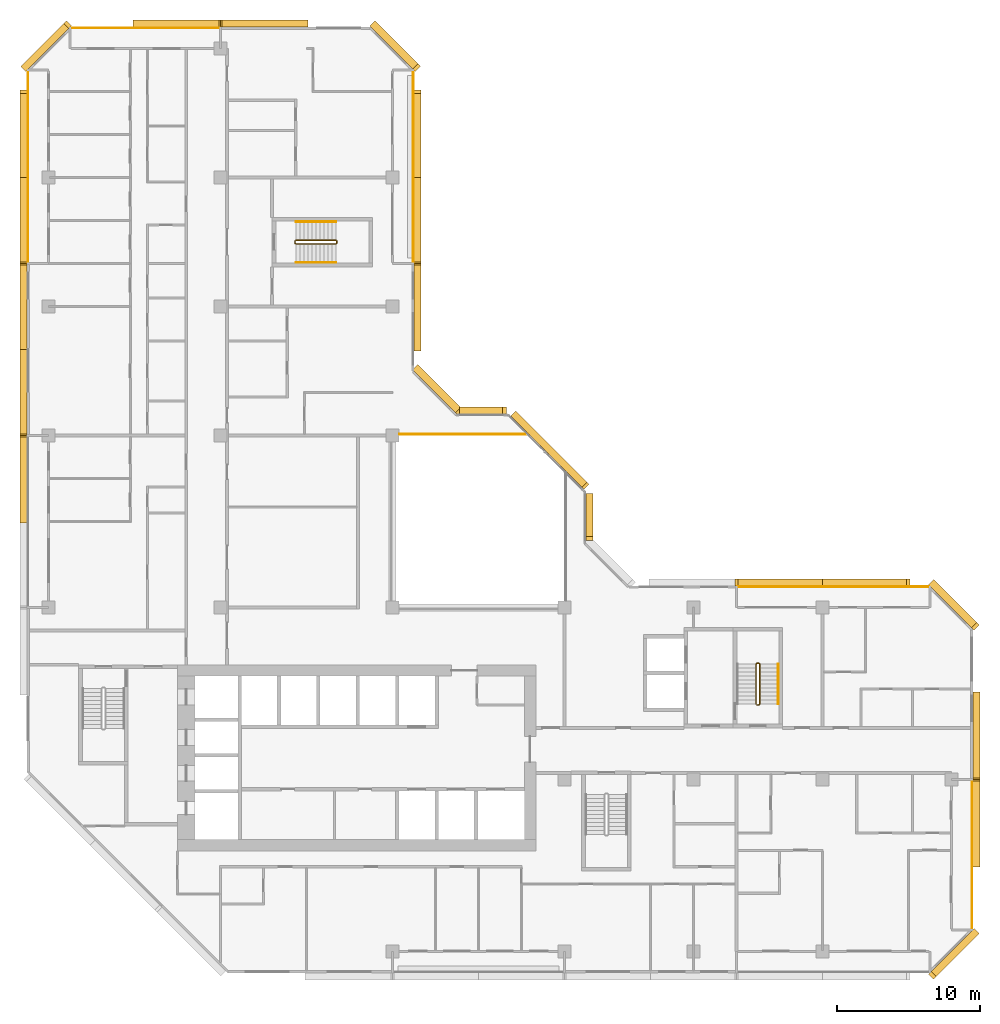
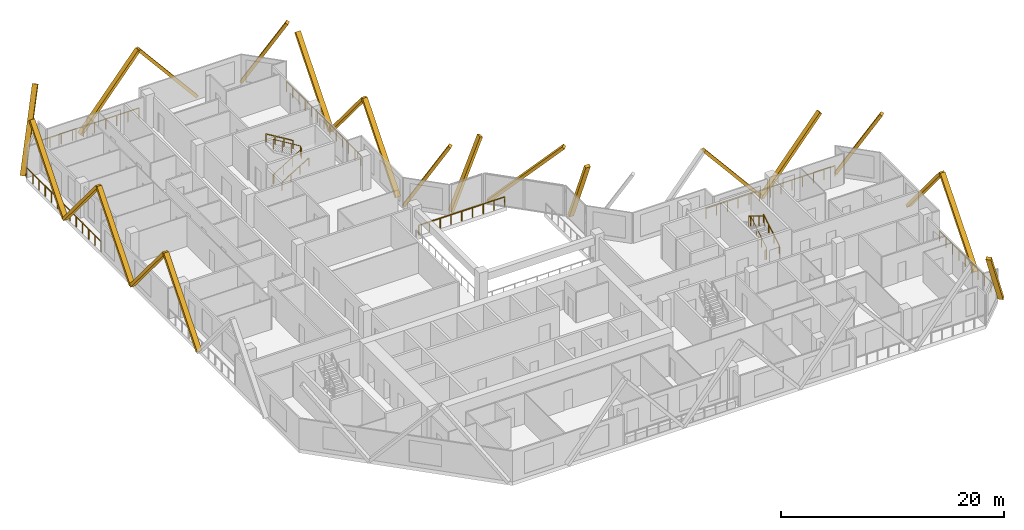
# One storey, part 15 of 15: 22 coverings, 11 railings.
"""IFC4 building model written with IfcOpenShell, lengths in metres."""

from ifc_helpers import new_model, si_unit, direction, frame, origin, origin_2d, place, context, subcontext, project, spatial, rectangle, extrude, material, material_profile, profile_set, type_object, element, save


model = new_model("IFC4")

# Units and contexts
model_context = context("Model", 3, precision=1e-05, world=origin(), true_north=direction((0.0, 1.0)))
body_context = subcontext(model_context, "Body", "Model", "MODEL_VIEW")
ifc_project = project(units=[si_unit("LENGTHUNIT", "METRE"), si_unit("AREAUNIT", "SQUARE_METRE"), si_unit("VOLUMEUNIT", "CUBIC_METRE"), si_unit("PLANEANGLEUNIT", "RADIAN"), si_unit("MASSUNIT", "GRAM", prefix="KILO")], contexts=[model_context])

# Site, building, storey
site_placement = place(None, origin())
site = spatial("IfcSite", under=ifc_project, at=site_placement, CompositionType="ELEMENT")
building_placement = place(site_placement, origin())
building = spatial("IfcBuilding", under=site, at=building_placement, Name="Chenar Terraces", CompositionType="ELEMENT")
storey_placement = place(building_placement, frame((0.0, 0.0, 187.39990234375)))
storey = spatial("IfcBuildingStorey", under=building, at=storey_placement, Name="L43", CompositionType="ELEMENT", Elevation=187.39990234375)

# Railings
ifc_material_1 = material(Name="Powder-coated steel", Category="steel")
railing_type_1 = type_object("IfcRailingType", Name="Guard 1100 steel rail with glass infill", PredefinedType="GUARDRAIL", material=ifc_material_1)
railing_1_placement = place(storey_placement, frame((24.5, 36.10009765625, 0.0)))
element("IfcRailing", 1, at=railing_1_placement, inside=storey, type_object=railing_type_1, Name="Guard L43-2", PredefinedType="GUARDRAIL", context=body_context, shape_type="SweptSolid", body=[
    extrude(rectangle(XDim=0.06005859375, YDim=0.06005859375, at=origin_2d()), frame((0.0, 0.0, 1.070068359375), z_axis=(1.0, 0.0, 0.0), x_axis=(0.0, 1.0, 0.0)), (0.0, 0.0, 1.0), 8.89990234375),
    extrude(rectangle(XDim=0.050048828125, YDim=0.050048828125, at=origin_2d()), origin(), (0.0, 0.0, 1.0), 1.0400390625),
    extrude(rectangle(XDim=0.050048828125, YDim=0.050048828125, at=origin_2d()), frame((1.112548828125, 0.0, 0.0)), (0.0, 0.0, 1.0), 1.0400390625),
    extrude(rectangle(XDim=0.050048828125, YDim=0.050048828125, at=origin_2d()), frame((2.22509765625, 0.0, 0.0)), (0.0, 0.0, 1.0), 1.0400390625),
    extrude(rectangle(XDim=0.050048828125, YDim=0.050048828125, at=origin_2d()), frame((3.33740234375, 0.0, 0.0)), (0.0, 0.0, 1.0), 1.0400390625),
    extrude(rectangle(XDim=0.050048828125, YDim=0.050048828125, at=origin_2d()), frame((4.449951171875, 0.0, 0.0)), (0.0, 0.0, 1.0), 1.0400390625),
    extrude(rectangle(XDim=0.050048828125, YDim=0.050048828125, at=origin_2d()), frame((5.5625, 0.0, 0.0)), (0.0, 0.0, 1.0), 1.0400390625),
    extrude(rectangle(XDim=0.050048828125, YDim=0.050048828125, at=origin_2d()), frame((6.6748046875, 0.0, 0.0)), (0.0, 0.0, 1.0), 1.0400390625),
    extrude(rectangle(XDim=0.050048828125, YDim=0.050048828125, at=origin_2d()), frame((7.787353515625, 0.0, 0.0)), (0.0, 0.0, 1.0), 1.0400390625),
    extrude(rectangle(XDim=0.050048828125, YDim=0.050048828125, at=origin_2d()), frame((8.89990234375, 0.0, 0.0)), (0.0, 0.0, 1.0), 1.0400390625),
])
ifc_material_2 = material(Name="Stainless steel and glass", Category="steel")
railing_type_2 = type_object("IfcRailingType", Name="Loggia guard 1150", PredefinedType="GUARDRAIL", material=ifc_material_2)
railing_2_placement = place(storey_placement, frame((25.449951171875, 48.074951171875, 0.0)))
element("IfcRailing", 2, at=railing_2_placement, inside=storey, type_object=railing_type_2, Name="Loggia guard", PredefinedType="GUARDRAIL", context=body_context, shape_type="SweptSolid", body=[
    extrude(rectangle(XDim=0.048095703125, YDim=0.048095703125, at=origin_2d()), frame((0.0, 0.0, 1.1259765625), z_axis=(0.0, 1.0, 0.0), x_axis=(-1.0, 0.0, 0.0)), (0.0, 0.0, 1.0), 13.35009765625),
    extrude(rectangle(XDim=0.0419921875, YDim=0.0419921875, at=origin_2d()), origin(), (0.0, 0.0, 1.0), 1.101806640625),
    extrude(rectangle(XDim=0.0419921875, YDim=0.0419921875, at=origin_2d()), frame((0.0, 1.112548828125, 0.0)), (0.0, 0.0, 1.0), 1.101806640625),
    extrude(rectangle(XDim=0.0419921875, YDim=0.0419921875, at=origin_2d()), frame((0.0, 2.22509765625, 0.0)), (0.0, 0.0, 1.0), 1.101806640625),
    extrude(rectangle(XDim=0.0419921875, YDim=0.0419921875, at=origin_2d()), frame((0.0, 3.33740234375, 0.0)), (0.0, 0.0, 1.0), 1.101806640625),
    extrude(rectangle(XDim=0.0419921875, YDim=0.0419921875, at=origin_2d()), frame((0.0, 4.449951171875, 0.0)), (0.0, 0.0, 1.0), 1.101806640625),
    extrude(rectangle(XDim=0.0419921875, YDim=0.0419921875, at=origin_2d()), frame((0.0, 5.5625, 0.0)), (0.0, 0.0, 1.0), 1.101806640625),
    extrude(rectangle(XDim=0.0419921875, YDim=0.0419921875, at=origin_2d()), frame((0.0, 6.675048828125, 0.0)), (0.0, 0.0, 1.0), 1.101806640625),
    extrude(rectangle(XDim=0.0419921875, YDim=0.0419921875, at=origin_2d()), frame((0.0, 7.78759765625, 0.0)), (0.0, 0.0, 1.0), 1.101806640625),
    extrude(rectangle(XDim=0.0419921875, YDim=0.0419921875, at=origin_2d()), frame((0.0, 8.900146484375, 0.0)), (0.0, 0.0, 1.0), 1.101806640625),
    extrude(rectangle(XDim=0.0419921875, YDim=0.0419921875, at=origin_2d()), frame((0.0, 10.0126953125, 0.0)), (0.0, 0.0, 1.0), 1.101806640625),
    extrude(rectangle(XDim=0.0419921875, YDim=0.0419921875, at=origin_2d()), frame((0.0, 11.125, 0.0)), (0.0, 0.0, 1.0), 1.101806640625),
    extrude(rectangle(XDim=0.0419921875, YDim=0.0419921875, at=origin_2d()), frame((0.0, 12.237548828125, 0.0)), (0.0, 0.0, 1.0), 1.101806640625),
    extrude(rectangle(XDim=0.0419921875, YDim=0.0419921875, at=origin_2d()), frame((0.0, 13.35009765625, 0.0)), (0.0, 0.0, 1.0), 1.101806640625),
])
railing_3_placement = place(storey_placement, frame((64.449951171875, 1.574951171875, 0.0)))
element("IfcRailing", 3, at=railing_3_placement, inside=storey, type_object=railing_type_2, Name="Loggia guard", PredefinedType="GUARDRAIL", context=body_context, shape_type="SweptSolid", body=[
    extrude(rectangle(XDim=0.048095703125, YDim=0.048095703125, at=origin_2d()), frame((0.0, 0.0, 1.1259765625), z_axis=(0.0, 1.0, 0.0), x_axis=(-1.0, 0.0, 0.0)), (0.0, 0.0, 1.0), 10.35009765625),
    extrude(rectangle(XDim=0.0419921875, YDim=0.0419921875, at=origin_2d()), origin(), (0.0, 0.0, 1.0), 1.101806640625),
    extrude(rectangle(XDim=0.0419921875, YDim=0.0419921875, at=origin_2d()), frame((0.0, 1.14990234375, 0.0)), (0.0, 0.0, 1.0), 1.101806640625),
    extrude(rectangle(XDim=0.0419921875, YDim=0.0419921875, at=origin_2d()), frame((0.0, 2.300048828125, 0.0)), (0.0, 0.0, 1.0), 1.101806640625),
    extrude(rectangle(XDim=0.0419921875, YDim=0.0419921875, at=origin_2d()), frame((0.0, 3.449951171875, 0.0)), (0.0, 0.0, 1.0), 1.101806640625),
    extrude(rectangle(XDim=0.0419921875, YDim=0.0419921875, at=origin_2d()), frame((0.0, 4.60009765625, 0.0)), (0.0, 0.0, 1.0), 1.101806640625),
    extrude(rectangle(XDim=0.0419921875, YDim=0.0419921875, at=origin_2d()), frame((0.0, 5.75, 0.0)), (0.0, 0.0, 1.0), 1.101806640625),
    extrude(rectangle(XDim=0.0419921875, YDim=0.0419921875, at=origin_2d()), frame((0.0, 6.900146484375, 0.0)), (0.0, 0.0, 1.0), 1.101806640625),
    extrude(rectangle(XDim=0.0419921875, YDim=0.0419921875, at=origin_2d()), frame((0.0, 8.050048828125, 0.0)), (0.0, 0.0, 1.0), 1.101806640625),
    extrude(rectangle(XDim=0.0419921875, YDim=0.0419921875, at=origin_2d()), frame((0.0, 9.2001953125, 0.0)), (0.0, 0.0, 1.0), 1.101806640625),
    extrude(rectangle(XDim=0.0419921875, YDim=0.0419921875, at=origin_2d()), frame((0.0, 10.35009765625, 0.0)), (0.0, 0.0, 1.0), 1.101806640625),
])
railing_4_placement = place(storey_placement, frame((61.425048828125, 25.449951171875, 0.0)))
element("IfcRailing", 4, at=railing_4_placement, inside=storey, type_object=railing_type_2, Name="Loggia guard", PredefinedType="GUARDRAIL", context=body_context, shape_type="SweptSolid", body=[
    extrude(rectangle(XDim=0.048095703125, YDim=0.048095703125, at=origin_2d()), frame((0.0, 0.0, 1.1259765625), z_axis=(-1.0, 0.0, 0.0), x_axis=(0.0, -1.0, 0.0)), (0.0, 0.0, 1.0), 13.35009765625),
    extrude(rectangle(XDim=0.0419921875, YDim=0.0419921875, at=origin_2d()), origin(), (0.0, 0.0, 1.0), 1.101806640625),
    extrude(rectangle(XDim=0.0419921875, YDim=0.0419921875, at=origin_2d()), frame((-1.112548828125, 0.0, 0.0)), (0.0, 0.0, 1.0), 1.101806640625),
    extrude(rectangle(XDim=0.0419921875, YDim=0.0419921875, at=origin_2d()), frame((-2.22509765625, 0.0, 0.0)), (0.0, 0.0, 1.0), 1.101806640625),
    extrude(rectangle(XDim=0.0419921875, YDim=0.0419921875, at=origin_2d()), frame((-3.33740234375, 0.0, 0.0)), (0.0, 0.0, 1.0), 1.101806640625),
    extrude(rectangle(XDim=0.0419921875, YDim=0.0419921875, at=origin_2d()), frame((-4.449951171875, 0.0, 0.0)), (0.0, 0.0, 1.0), 1.101806640625),
    extrude(rectangle(XDim=0.0419921875, YDim=0.0419921875, at=origin_2d()), frame((-5.5625, 0.0, 0.0)), (0.0, 0.0, 1.0), 1.101806640625),
    extrude(rectangle(XDim=0.0419921875, YDim=0.0419921875, at=origin_2d()), frame((-6.675048828125, 0.0, 0.0)), (0.0, 0.0, 1.0), 1.101806640625),
    extrude(rectangle(XDim=0.0419921875, YDim=0.0419921875, at=origin_2d()), frame((-7.78759765625, 0.0, 0.0)), (0.0, 0.0, 1.0), 1.101806640625),
    extrude(rectangle(XDim=0.0419921875, YDim=0.0419921875, at=origin_2d()), frame((-8.900146484375, 0.0, 0.0)), (0.0, 0.0, 1.0), 1.101806640625),
    extrude(rectangle(XDim=0.0419921875, YDim=0.0419921875, at=origin_2d()), frame((-10.0126953125, 0.0, 0.0)), (0.0, 0.0, 1.0), 1.101806640625),
    extrude(rectangle(XDim=0.0419921875, YDim=0.0419921875, at=origin_2d()), frame((-11.125, 0.0, 0.0)), (0.0, 0.0, 1.0), 1.101806640625),
    extrude(rectangle(XDim=0.0419921875, YDim=0.0419921875, at=origin_2d()), frame((-12.237548828125, 0.0, 0.0)), (0.0, 0.0, 1.0), 1.101806640625),
    extrude(rectangle(XDim=0.0419921875, YDim=0.0419921875, at=origin_2d()), frame((-13.35009765625, 0.0, 0.0)), (0.0, 0.0, 1.0), 1.101806640625),
])
railing_5_placement = place(storey_placement, frame((11.925048828125, 64.449951171875, 0.0)))
element("IfcRailing", 5, at=railing_5_placement, inside=storey, type_object=railing_type_2, Name="Loggia guard", PredefinedType="GUARDRAIL", context=body_context, shape_type="SweptSolid", body=[
    extrude(rectangle(XDim=0.048095703125, YDim=0.048095703125, at=origin_2d()), frame((0.0, 0.0, 1.1259765625), z_axis=(-1.0, 0.0, 0.0), x_axis=(0.0, -1.0, 0.0)), (0.0, 0.0, 1.0), 10.35009765625),
    extrude(rectangle(XDim=0.0419921875, YDim=0.0419921875, at=origin_2d()), origin(), (0.0, 0.0, 1.0), 1.101806640625),
    extrude(rectangle(XDim=0.0419921875, YDim=0.0419921875, at=origin_2d()), frame((-1.14990234375, 0.0, 0.0)), (0.0, 0.0, 1.0), 1.101806640625),
    extrude(rectangle(XDim=0.0419921875, YDim=0.0419921875, at=origin_2d()), frame((-2.300048828125, 0.0, 0.0)), (0.0, 0.0, 1.0), 1.101806640625),
    extrude(rectangle(XDim=0.0419921875, YDim=0.0419921875, at=origin_2d()), frame((-3.449951171875, 0.0, 0.0)), (0.0, 0.0, 1.0), 1.101806640625),
    extrude(rectangle(XDim=0.0419921875, YDim=0.0419921875, at=origin_2d()), frame((-4.60009765625, 0.0, 0.0)), (0.0, 0.0, 1.0), 1.101806640625),
    extrude(rectangle(XDim=0.0419921875, YDim=0.0419921875, at=origin_2d()), frame((-5.75, 0.0, 0.0)), (0.0, 0.0, 1.0), 1.101806640625),
    extrude(rectangle(XDim=0.0419921875, YDim=0.0419921875, at=origin_2d()), frame((-6.900146484375, 0.0, 0.0)), (0.0, 0.0, 1.0), 1.101806640625),
    extrude(rectangle(XDim=0.0419921875, YDim=0.0419921875, at=origin_2d()), frame((-8.050048828125, 0.0, 0.0)), (0.0, 0.0, 1.0), 1.101806640625),
    extrude(rectangle(XDim=0.0419921875, YDim=0.0419921875, at=origin_2d()), frame((-9.2001953125, 0.0, 0.0)), (0.0, 0.0, 1.0), 1.101806640625),
    extrude(rectangle(XDim=0.0419921875, YDim=0.0419921875, at=origin_2d()), frame((-10.35009765625, 0.0, 0.0)), (0.0, 0.0, 1.0), 1.101806640625),
])
railing_6_placement = place(storey_placement, frame((-1.449951171875, 61.425048828125, 0.0)))
element("IfcRailing", 6, at=railing_6_placement, inside=storey, type_object=railing_type_2, Name="Loggia guard", PredefinedType="GUARDRAIL", context=body_context, shape_type="SweptSolid", body=[
    extrude(rectangle(XDim=0.048095703125, YDim=0.048095703125, at=origin_2d()), frame((0.0, 0.0, 1.1259765625), z_axis=(0.0, -1.0, 0.0), x_axis=(1.0, 0.0, 0.0)), (0.0, 0.0, 1.0), 13.35009765625),
    extrude(rectangle(XDim=0.0419921875, YDim=0.0419921875, at=origin_2d()), origin(), (0.0, 0.0, 1.0), 1.101806640625),
    extrude(rectangle(XDim=0.0419921875, YDim=0.0419921875, at=origin_2d()), frame((0.0, -1.112548828125, 0.0)), (0.0, 0.0, 1.0), 1.101806640625),
    extrude(rectangle(XDim=0.0419921875, YDim=0.0419921875, at=origin_2d()), frame((0.0, -2.22509765625, 0.0)), (0.0, 0.0, 1.0), 1.101806640625),
    extrude(rectangle(XDim=0.0419921875, YDim=0.0419921875, at=origin_2d()), frame((0.0, -3.33740234375, 0.0)), (0.0, 0.0, 1.0), 1.101806640625),
    extrude(rectangle(XDim=0.0419921875, YDim=0.0419921875, at=origin_2d()), frame((0.0, -4.449951171875, 0.0)), (0.0, 0.0, 1.0), 1.101806640625),
    extrude(rectangle(XDim=0.0419921875, YDim=0.0419921875, at=origin_2d()), frame((0.0, -5.5625, 0.0)), (0.0, 0.0, 1.0), 1.101806640625),
    extrude(rectangle(XDim=0.0419921875, YDim=0.0419921875, at=origin_2d()), frame((0.0, -6.675048828125, 0.0)), (0.0, 0.0, 1.0), 1.101806640625),
    extrude(rectangle(XDim=0.0419921875, YDim=0.0419921875, at=origin_2d()), frame((0.0, -7.78759765625, 0.0)), (0.0, 0.0, 1.0), 1.101806640625),
    extrude(rectangle(XDim=0.0419921875, YDim=0.0419921875, at=origin_2d()), frame((0.0, -8.900146484375, 0.0)), (0.0, 0.0, 1.0), 1.101806640625),
    extrude(rectangle(XDim=0.0419921875, YDim=0.0419921875, at=origin_2d()), frame((0.0, -10.0126953125, 0.0)), (0.0, 0.0, 1.0), 1.101806640625),
    extrude(rectangle(XDim=0.0419921875, YDim=0.0419921875, at=origin_2d()), frame((0.0, -11.125, 0.0)), (0.0, 0.0, 1.0), 1.101806640625),
    extrude(rectangle(XDim=0.0419921875, YDim=0.0419921875, at=origin_2d()), frame((0.0, -12.237548828125, 0.0)), (0.0, 0.0, 1.0), 1.101806640625),
    extrude(rectangle(XDim=0.0419921875, YDim=0.0419921875, at=origin_2d()), frame((0.0, -13.35009765625, 0.0)), (0.0, 0.0, 1.0), 1.101806640625),
])
ifc_material_3 = material(Name="Powder-coated steel", Category="steel")
railing_type_3 = type_object("IfcRailingType", Name="Stair guard 1100", PredefinedType="GUARDRAIL", material=ifc_material_3)
railing_7_placement = place(storey_placement, frame((49.375, 17.25, 3.75)))
element("IfcRailing", 7, at=railing_7_placement, inside=storey, type_object=railing_type_3, Name="L43 ST3 stair guard 1", PredefinedType="GUARDRAIL", context=body_context, shape_type="SweptSolid", body=[
    extrude(rectangle(XDim=0.048095703125, YDim=0.048095703125, at=origin_2d()), frame((0.0, 0.0, 1.076171875), z_axis=(0.0, 0.854202870247, -0.519939858505), x_axis=(-1.0, 0.0, 0.0)), (0.0, 0.0, 1.0), 3.278076171875),
    extrude(rectangle(XDim=0.048095703125, YDim=0.048095703125, at=origin_2d()), frame((0.0, 2.800048828125, -0.62841796875), z_axis=(0.270899902878, 0.270899902878, -0.923702595667), x_axis=(-0.707106781187, 0.707106781187, 0.0)), (0.0, 0.0, 1.0), 0.184814453125),
    extrude(rectangle(XDim=0.048095703125, YDim=0.048095703125, at=origin_2d()), frame((0.050048828125, 2.85009765625, -0.798828125), z_axis=(1.0, 0.0, 0.0), x_axis=(0.0, 1.0, 0.0)), (0.0, 0.0, 1.0), 0.14990234375),
    extrude(rectangle(XDim=0.048095703125, YDim=0.048095703125, at=origin_2d()), frame((0.199951171875, 2.85009765625, -0.798828125), z_axis=(0.707106781187, -0.707106781187, 0.0), x_axis=(0.707106781187, 0.707106781187, 0.0)), (0.0, 0.0, 1.0), 0.07080078125),
    extrude(rectangle(XDim=0.048095703125, YDim=0.048095703125, at=origin_2d()), frame((0.25, 2.800048828125, -0.798828125), z_axis=(0.0, -0.854202870247, -0.519939858505), x_axis=(1.0, 0.0, 0.0)), (0.0, 0.0, 1.0), 3.278076171875),
    extrude(rectangle(XDim=0.048095703125, YDim=0.048095703125, at=origin_2d()), frame((0.25, 0.0, -2.50341796875), z_axis=(-0.270899902878, -0.270899902878, -0.923702595667), x_axis=(0.707106781187, -0.707106781187, 0.0)), (0.0, 0.0, 1.0), 0.184814453125),
    extrude(rectangle(XDim=0.048095703125, YDim=0.048095703125, at=origin_2d()), frame((0.199951171875, -0.050048828125, -2.673828125), z_axis=(-1.0, 0.0, 0.0), x_axis=(0.0, -1.0, 0.0)), (0.0, 0.0, 1.0), 0.14990234375),
    extrude(rectangle(XDim=0.0419921875, YDim=0.0419921875, at=origin_2d()), origin(), (0.0, 0.0, 1.0), 1.052001953125),
    extrude(rectangle(XDim=0.0419921875, YDim=0.0419921875, at=origin_2d()), frame((0.0, 0.933349609375, -0.568115234375)), (0.0, 0.0, 1.0), 1.052001953125),
    extrude(rectangle(XDim=0.0419921875, YDim=0.0419921875, at=origin_2d()), frame((0.0, 1.86669921875, -1.13623046875)), (0.0, 0.0, 1.0), 1.052001953125),
    extrude(rectangle(XDim=0.0419921875, YDim=0.0419921875, at=origin_2d()), frame((0.0, 2.800048828125, -1.704345703125)), (0.0, 0.0, 1.0), 1.052001953125),
    extrude(rectangle(XDim=0.0419921875, YDim=0.0419921875, at=origin_2d()), frame((0.050048828125, 2.85009765625, -1.875)), (0.0, 0.0, 1.0), 1.052001953125),
    extrude(rectangle(XDim=0.0419921875, YDim=0.0419921875, at=origin_2d()), frame((0.199951171875, 2.85009765625, -1.875)), (0.0, 0.0, 1.0), 1.052001953125),
    extrude(rectangle(XDim=0.0419921875, YDim=0.0419921875, at=origin_2d()), frame((0.25, 2.800048828125, -1.875)), (0.0, 0.0, 1.0), 1.052001953125),
    extrude(rectangle(XDim=0.0419921875, YDim=0.0419921875, at=origin_2d()), frame((0.25, 1.86669921875, -2.443115234375)), (0.0, 0.0, 1.0), 1.052001953125),
    extrude(rectangle(XDim=0.0419921875, YDim=0.0419921875, at=origin_2d()), frame((0.25, 0.933349609375, -3.01123046875)), (0.0, 0.0, 1.0), 1.052001953125),
    extrude(rectangle(XDim=0.0419921875, YDim=0.0419921875, at=origin_2d()), frame((0.25, 0.0, -3.579345703125)), (0.0, 0.0, 1.0), 1.052001953125),
    extrude(rectangle(XDim=0.0419921875, YDim=0.0419921875, at=origin_2d()), frame((0.199951171875, -0.050048828125, -3.75)), (0.0, 0.0, 1.0), 1.052001953125),
    extrude(rectangle(XDim=0.0419921875, YDim=0.0419921875, at=origin_2d()), frame((0.050048828125, -0.050048828125, -3.75)), (0.0, 0.0, 1.0), 1.052001953125),
])
railing_8_placement = place(storey_placement, frame((17.25, 49.625, 3.75)))
element("IfcRailing", 8, at=railing_8_placement, inside=storey, type_object=railing_type_3, Name="L43 ST4 stair guard 1", PredefinedType="GUARDRAIL", context=body_context, shape_type="SweptSolid", body=[
    extrude(rectangle(XDim=0.048095703125, YDim=0.048095703125, at=origin_2d()), frame((0.0, 0.0, 1.076171875), z_axis=(0.854202870247, 0.0, -0.519939858505), x_axis=(0.0, 1.0, 0.0)), (0.0, 0.0, 1.0), 3.278076171875),
    extrude(rectangle(XDim=0.048095703125, YDim=0.048095703125, at=origin_2d()), frame((2.800048828125, 0.0, -0.62841796875), z_axis=(0.270899902878, -0.270899902878, -0.923702595667), x_axis=(0.707106781187, 0.707106781187, 0.0)), (0.0, 0.0, 1.0), 0.184814453125),
    extrude(rectangle(XDim=0.048095703125, YDim=0.048095703125, at=origin_2d()), frame((2.85009765625, -0.050048828125, -0.798828125), z_axis=(0.0, -1.0, 0.0), x_axis=(1.0, 0.0, 0.0)), (0.0, 0.0, 1.0), 0.14990234375),
    extrude(rectangle(XDim=0.048095703125, YDim=0.048095703125, at=origin_2d()), frame((2.85009765625, -0.199951171875, -0.798828125), z_axis=(-0.707106781187, -0.707106781187, 0.0), x_axis=(0.707106781187, -0.707106781187, 0.0)), (0.0, 0.0, 1.0), 0.07080078125),
    extrude(rectangle(XDim=0.048095703125, YDim=0.048095703125, at=origin_2d()), frame((2.800048828125, -0.25, -0.798828125), z_axis=(-0.854202870247, 0.0, -0.519939858505), x_axis=(0.0, -1.0, 0.0)), (0.0, 0.0, 1.0), 3.278076171875),
    extrude(rectangle(XDim=0.048095703125, YDim=0.048095703125, at=origin_2d()), frame((0.0, -0.25, -2.50341796875), z_axis=(-0.270899902878, 0.270899902878, -0.923702595667), x_axis=(-0.707106781187, -0.707106781187, 0.0)), (0.0, 0.0, 1.0), 0.184814453125),
    extrude(rectangle(XDim=0.048095703125, YDim=0.048095703125, at=origin_2d()), frame((-0.050048828125, -0.199951171875, -2.673828125), z_axis=(0.0, 1.0, 0.0), x_axis=(-1.0, 0.0, 0.0)), (0.0, 0.0, 1.0), 0.14990234375),
    extrude(rectangle(XDim=0.0419921875, YDim=0.0419921875, at=origin_2d()), origin(), (0.0, 0.0, 1.0), 1.052001953125),
    extrude(rectangle(XDim=0.0419921875, YDim=0.0419921875, at=origin_2d()), frame((0.933349609375, 0.0, -0.568115234375)), (0.0, 0.0, 1.0), 1.052001953125),
    extrude(rectangle(XDim=0.0419921875, YDim=0.0419921875, at=origin_2d()), frame((1.86669921875, 0.0, -1.13623046875)), (0.0, 0.0, 1.0), 1.052001953125),
    extrude(rectangle(XDim=0.0419921875, YDim=0.0419921875, at=origin_2d()), frame((2.800048828125, 0.0, -1.704345703125)), (0.0, 0.0, 1.0), 1.052001953125),
    extrude(rectangle(XDim=0.0419921875, YDim=0.0419921875, at=origin_2d()), frame((2.85009765625, -0.050048828125, -1.875)), (0.0, 0.0, 1.0), 1.052001953125),
    extrude(rectangle(XDim=0.0419921875, YDim=0.0419921875, at=origin_2d()), frame((2.85009765625, -0.199951171875, -1.875)), (0.0, 0.0, 1.0), 1.052001953125),
    extrude(rectangle(XDim=0.0419921875, YDim=0.0419921875, at=origin_2d()), frame((2.800048828125, -0.25, -1.875)), (0.0, 0.0, 1.0), 1.052001953125),
    extrude(rectangle(XDim=0.0419921875, YDim=0.0419921875, at=origin_2d()), frame((1.86669921875, -0.25, -2.443115234375)), (0.0, 0.0, 1.0), 1.052001953125),
    extrude(rectangle(XDim=0.0419921875, YDim=0.0419921875, at=origin_2d()), frame((0.933349609375, -0.25, -3.01123046875)), (0.0, 0.0, 1.0), 1.052001953125),
    extrude(rectangle(XDim=0.0419921875, YDim=0.0419921875, at=origin_2d()), frame((0.0, -0.25, -3.579345703125)), (0.0, 0.0, 1.0), 1.052001953125),
    extrude(rectangle(XDim=0.0419921875, YDim=0.0419921875, at=origin_2d()), frame((-0.050048828125, -0.199951171875, -3.75)), (0.0, 0.0, 1.0), 1.052001953125),
    extrude(rectangle(XDim=0.0419921875, YDim=0.0419921875, at=origin_2d()), frame((-0.050048828125, -0.050048828125, -3.75)), (0.0, 0.0, 1.0), 1.052001953125),
])
ifc_material_4 = material(Name="Powder-coated steel", Category="steel")
railing_type_4 = type_object("IfcRailingType", Name="Stair handrail 900", PredefinedType="HANDRAIL", material=ifc_material_4)
railing_9_placement = place(storey_placement, frame((50.925048828125, 17.25, 0.170654296875)))
element("IfcRailing", 9, at=railing_9_placement, inside=storey, type_object=railing_type_4, Name="L43 ST3 stair handrail 1", PredefinedType="HANDRAIL", context=body_context, shape_type="SweptSolid", body=[
    extrude(rectangle(XDim=0.048095703125, YDim=0.048095703125, at=origin_2d()), frame((0.0, 0.0, 0.8759765625), z_axis=(0.0, 0.854202870247, 0.519939858505), x_axis=(-1.0, 0.0, 0.0)), (0.0, 0.0, 1.0), 3.278076171875),
    extrude(rectangle(XDim=0.0419921875, YDim=0.0419921875, at=origin_2d()), origin(), (0.0, 0.0, 1.0), 0.851806640625),
    extrude(rectangle(XDim=0.0419921875, YDim=0.0419921875, at=origin_2d()), frame((0.0, 0.933349609375, 0.568115234375)), (0.0, 0.0, 1.0), 0.851806640625),
    extrude(rectangle(XDim=0.0419921875, YDim=0.0419921875, at=origin_2d()), frame((0.0, 1.86669921875, 1.13623046875)), (0.0, 0.0, 1.0), 0.851806640625),
    extrude(rectangle(XDim=0.0419921875, YDim=0.0419921875, at=origin_2d()), frame((0.0, 2.800048828125, 1.704345703125)), (0.0, 0.0, 1.0), 0.851806640625),
])
railing_10_placement = place(storey_placement, frame((17.25, 48.074951171875, 0.170654296875)))
element("IfcRailing", 10, at=railing_10_placement, inside=storey, type_object=railing_type_4, Name="L43 ST4 stair handrail 1", PredefinedType="HANDRAIL", context=body_context, shape_type="SweptSolid", body=[
    extrude(rectangle(XDim=0.048095703125, YDim=0.048095703125, at=origin_2d()), frame((0.0, 0.0, 0.8759765625), z_axis=(0.854202870247, 0.0, 0.519939858505), x_axis=(0.0, 1.0, 0.0)), (0.0, 0.0, 1.0), 3.278076171875),
    extrude(rectangle(XDim=0.0419921875, YDim=0.0419921875, at=origin_2d()), origin(), (0.0, 0.0, 1.0), 0.851806640625),
    extrude(rectangle(XDim=0.0419921875, YDim=0.0419921875, at=origin_2d()), frame((0.933349609375, 0.0, 0.568115234375)), (0.0, 0.0, 1.0), 0.851806640625),
    extrude(rectangle(XDim=0.0419921875, YDim=0.0419921875, at=origin_2d()), frame((1.86669921875, 0.0, 1.13623046875)), (0.0, 0.0, 1.0), 0.851806640625),
    extrude(rectangle(XDim=0.0419921875, YDim=0.0419921875, at=origin_2d()), frame((2.800048828125, 0.0, 1.704345703125)), (0.0, 0.0, 1.0), 0.851806640625),
])
railing_11_placement = place(storey_placement, frame((20.050048828125, 50.925048828125, 2.045654296875)))
element("IfcRailing", 11, at=railing_11_placement, inside=storey, type_object=railing_type_4, Name="L43 ST4 stair handrail 2", PredefinedType="HANDRAIL", context=body_context, shape_type="SweptSolid", body=[
    extrude(rectangle(XDim=0.048095703125, YDim=0.048095703125, at=origin_2d()), frame((0.0, 0.0, 0.8759765625), z_axis=(-0.854202870247, 0.0, 0.519939858505), x_axis=(0.0, -1.0, 0.0)), (0.0, 0.0, 1.0), 3.278076171875),
    extrude(rectangle(XDim=0.0419921875, YDim=0.0419921875, at=origin_2d()), origin(), (0.0, 0.0, 1.0), 0.851806640625),
    extrude(rectangle(XDim=0.0419921875, YDim=0.0419921875, at=origin_2d()), frame((-0.933349609375, 0.0, 0.568115234375)), (0.0, 0.0, 1.0), 0.851806640625),
    extrude(rectangle(XDim=0.0419921875, YDim=0.0419921875, at=origin_2d()), frame((-1.86669921875, 0.0, 1.13623046875)), (0.0, 0.0, 1.0), 0.851806640625),
    extrude(rectangle(XDim=0.0419921875, YDim=0.0419921875, at=origin_2d()), frame((-2.800048828125, 0.0, 1.704345703125)), (0.0, 0.0, 1.0), 0.851806640625),
])

# Coverings
ifc_material_5 = material(Name="Terracotta", Category="masonry")
ifc_material_profile = material_profile(ifc_material_5, rectangle(XDim=0.5, YDim=0.300048828125, at=origin_2d()), Name="Terracotta baguette 500 x 300")
ifc_profile_set = profile_set([ifc_material_profile], Name="Terracotta")
covering_type = type_object("IfcCoveringType", Name="Terracotta baguette 500 x 300", PredefinedType="CLADDING", material=ifc_profile_set)
for number, where, z_axis, x_axis, name in (
    (12, (60.0, 25.75, 7.35009765625), (-0.640186961885, 0.0, -0.768219144407), (0.0, -1.0, 0.0), "Terracotta baguette"),
    (13, (54.0, 25.75, 0.150146484375), (-0.640186961885, 0.0, 0.768219144407), (0.0, -1.0, 0.0), "Terracotta baguette"),
):
    element("IfcCovering", number, at=place(storey_placement, frame(where, z_axis=z_axis, x_axis=x_axis)), inside=storey, type_object=covering_type, Name=name, PredefinedType="CLADDING", context=body_context, shape_type="SweptSolid", body=[
        extrude(rectangle(XDim=0.5, YDim=0.300048828125, at=origin_2d()), origin(), (0.0, 0.0, 1.0), 9.372314453125),
    ])
covering_1_placement = place(storey_placement, frame((37.75, 28.800048828125, 7.35009765625), z_axis=(0.0, 0.384617607118, -0.923075997031), x_axis=(-1.0, 0.0, 0.0)))
element("IfcCovering", 14, at=covering_1_placement, inside=storey, type_object=covering_type, Name="Terracotta baguette", PredefinedType="CLADDING", context=body_context, shape_type="SweptSolid", body=[
    extrude(rectangle(XDim=0.5, YDim=0.300048828125, at=origin_2d()), origin(), (0.0, 0.0, 1.0), 7.800048828125),
])
covering_2_placement = place(storey_placement, frame((37.464599609375, 32.489013671875, 7.35009765625), z_axis=(-0.4942466441, 0.494222393737, -0.715167449151), x_axis=(-0.707089433343, -0.707124128605, 0.0)))
element("IfcCovering", 15, at=covering_2_placement, inside=storey, type_object=covering_type, Name="Terracotta baguette", PredefinedType="CLADDING", context=body_context, shape_type="SweptSolid", body=[
    extrude(rectangle(XDim=0.5, YDim=0.300048828125, at=origin_2d()), origin(), (0.0, 0.0, 1.0), 10.0673828125),
])
covering_3_placement = place(storey_placement, frame((31.800048828125, 37.75, 7.35009765625), z_axis=(-0.384617607118, 0.0, -0.923075997031), x_axis=(0.0, -1.0, 0.0)))
element("IfcCovering", 16, at=covering_3_placement, inside=storey, type_object=covering_type, Name="Terracotta baguette", PredefinedType="CLADDING", context=body_context, shape_type="SweptSolid", body=[
    extrude(rectangle(XDim=0.5, YDim=0.300048828125, at=origin_2d()), origin(), (0.0, 0.0, 1.0), 7.800048828125),
])
covering_4_placement = place(storey_placement, frame((28.6767578125, 37.6767578125, 7.35009765625), z_axis=(-0.358980886355, 0.358980886355, -0.861548284464), x_axis=(-0.707106781187, -0.707106781187, 0.0)))
element("IfcCovering", 17, at=covering_4_placement, inside=storey, type_object=covering_type, Name="Terracotta baguette", PredefinedType="CLADDING", context=body_context, shape_type="SweptSolid", body=[
    extrude(rectangle(XDim=0.5, YDim=0.300048828125, at=origin_2d()), origin(), (0.0, 0.0, 1.0), 8.35693359375),
])
for number, where, z_axis, x_axis, name in (
    (18, (25.75, 42.0, 0.150146484375), (0.0, 0.640186961885, 0.768219144407), (-1.0, 0.0, 0.0), "Terracotta baguette"),
    (19, (25.75, 48.0, 7.35009765625), (0.0, 0.640186961885, -0.768219144407), (-1.0, 0.0, 0.0), "Terracotta baguette"),
    (20, (25.75, 54.0, 0.150146484375), (0.0, 0.640186961885, 0.768219144407), (-1.0, 0.0, 0.0), "Terracotta baguette"),
):
    element("IfcCovering", number, at=place(storey_placement, frame(where, z_axis=z_axis, x_axis=x_axis)), inside=storey, type_object=covering_type, Name=name, PredefinedType="CLADDING", context=body_context, shape_type="SweptSolid", body=[
        extrude(rectangle(XDim=0.5, YDim=0.300048828125, at=origin_2d()), origin(), (0.0, 0.0, 1.0), 9.372314453125),
    ])
covering_5_placement = place(storey_placement, frame((25.6767578125, 61.6767578125, 7.35009765625), z_axis=(-0.358980886355, 0.358980886355, -0.861548284464), x_axis=(-0.707106781187, -0.707106781187, 0.0)))
element("IfcCovering", 21, at=covering_5_placement, inside=storey, type_object=covering_type, Name="Terracotta baguette", PredefinedType="CLADDING", context=body_context, shape_type="SweptSolid", body=[
    extrude(rectangle(XDim=0.5, YDim=0.300048828125, at=origin_2d()), origin(), (0.0, 0.0, 1.0), 8.35693359375),
])
for number, where, z_axis, x_axis, name in (
    (22, (18.0, 64.75, 0.150146484375), (-0.640186961885, 0.0, 0.768219144407), (0.0, -1.0, 0.0), "Terracotta baguette"),
    (23, (12.0, 64.75, 7.35009765625), (-0.640186961885, 0.0, -0.768219144407), (0.0, -1.0, 0.0), "Terracotta baguette"),
):
    element("IfcCovering", number, at=place(storey_placement, frame(where, z_axis=z_axis, x_axis=x_axis)), inside=storey, type_object=covering_type, Name=name, PredefinedType="CLADDING", context=body_context, shape_type="SweptSolid", body=[
        extrude(rectangle(XDim=0.5, YDim=0.300048828125, at=origin_2d()), origin(), (0.0, 0.0, 1.0), 9.372314453125),
    ])
covering_6_placement = place(storey_placement, frame((1.3232421875, 64.6767578125, 7.35009765625), z_axis=(-0.358980886355, -0.358980886355, -0.861548284464), x_axis=(0.707106781187, -0.707106781187, 0.0)))
element("IfcCovering", 24, at=covering_6_placement, inside=storey, type_object=covering_type, Name="Terracotta baguette", PredefinedType="CLADDING", context=body_context, shape_type="SweptSolid", body=[
    extrude(rectangle(XDim=0.5, YDim=0.300048828125, at=origin_2d()), origin(), (0.0, 0.0, 1.0), 8.35693359375),
])
for number, where, z_axis, x_axis, name in (
    (25, (-1.75, 60.0, 7.35009765625), (0.0, -0.640186961885, -0.768219144407), (1.0, 0.0, 0.0), "Terracotta baguette"),
    (26, (-1.75, 54.0, 0.150146484375), (0.0, -0.640186961885, 0.768219144407), (1.0, 0.0, 0.0), "Terracotta baguette"),
    (27, (-1.75, 48.0, 7.35009765625), (0.0, -0.640186961885, -0.768219144407), (1.0, 0.0, 0.0), "Terracotta baguette"),
    (28, (-1.75, 42.0, 0.150146484375), (0.0, -0.640186961885, 0.768219144407), (1.0, 0.0, 0.0), "Terracotta baguette"),
    (29, (-1.75, 36.0, 7.35009765625), (0.0, -0.640186961885, -0.768219144407), (1.0, 0.0, 0.0), "Terracotta baguette"),
):
    element("IfcCovering", number, at=place(storey_placement, frame(where, z_axis=z_axis, x_axis=x_axis)), inside=storey, type_object=covering_type, Name=name, PredefinedType="CLADDING", context=body_context, shape_type="SweptSolid", body=[
        extrude(rectangle(XDim=0.5, YDim=0.300048828125, at=origin_2d()), origin(), (0.0, 0.0, 1.0), 9.372314453125),
    ])
covering_7_placement = place(storey_placement, frame((61.6767578125, -1.6767578125, 7.35009765625), z_axis=(0.358980886355, 0.358980886355, -0.861548284464), x_axis=(-0.707106781187, 0.707106781187, 0.0)))
element("IfcCovering", 30, at=covering_7_placement, inside=storey, type_object=covering_type, Name="Terracotta baguette", PredefinedType="CLADDING", context=body_context, shape_type="SweptSolid", body=[
    extrude(rectangle(XDim=0.5, YDim=0.300048828125, at=origin_2d()), origin(), (0.0, 0.0, 1.0), 8.35693359375),
])
for number, where, z_axis, x_axis, name in (
    (31, (64.75, 6.0, 0.150146484375), (0.0, 0.640186961885, 0.768219144407), (-1.0, 0.0, 0.0), "Terracotta baguette"),
    (32, (64.75, 12.0, 7.35009765625), (0.0, 0.640186961885, -0.768219144407), (-1.0, 0.0, 0.0), "Terracotta baguette"),
):
    element("IfcCovering", number, at=place(storey_placement, frame(where, z_axis=z_axis, x_axis=x_axis)), inside=storey, type_object=covering_type, Name=name, PredefinedType="CLADDING", context=body_context, shape_type="SweptSolid", body=[
        extrude(rectangle(XDim=0.5, YDim=0.300048828125, at=origin_2d()), origin(), (0.0, 0.0, 1.0), 9.372314453125),
    ])
covering_8_placement = place(storey_placement, frame((64.6767578125, 22.6767578125, 7.35009765625), z_axis=(-0.358980886355, 0.358980886355, -0.861548284464), x_axis=(-0.707106781187, -0.707106781187, 0.0)))
element("IfcCovering", 33, at=covering_8_placement, inside=storey, type_object=covering_type, Name="Terracotta baguette", PredefinedType="CLADDING", context=body_context, shape_type="SweptSolid", body=[
    extrude(rectangle(XDim=0.5, YDim=0.300048828125, at=origin_2d()), origin(), (0.0, 0.0, 1.0), 8.35693359375),
])

save(model, "model.ifc")
